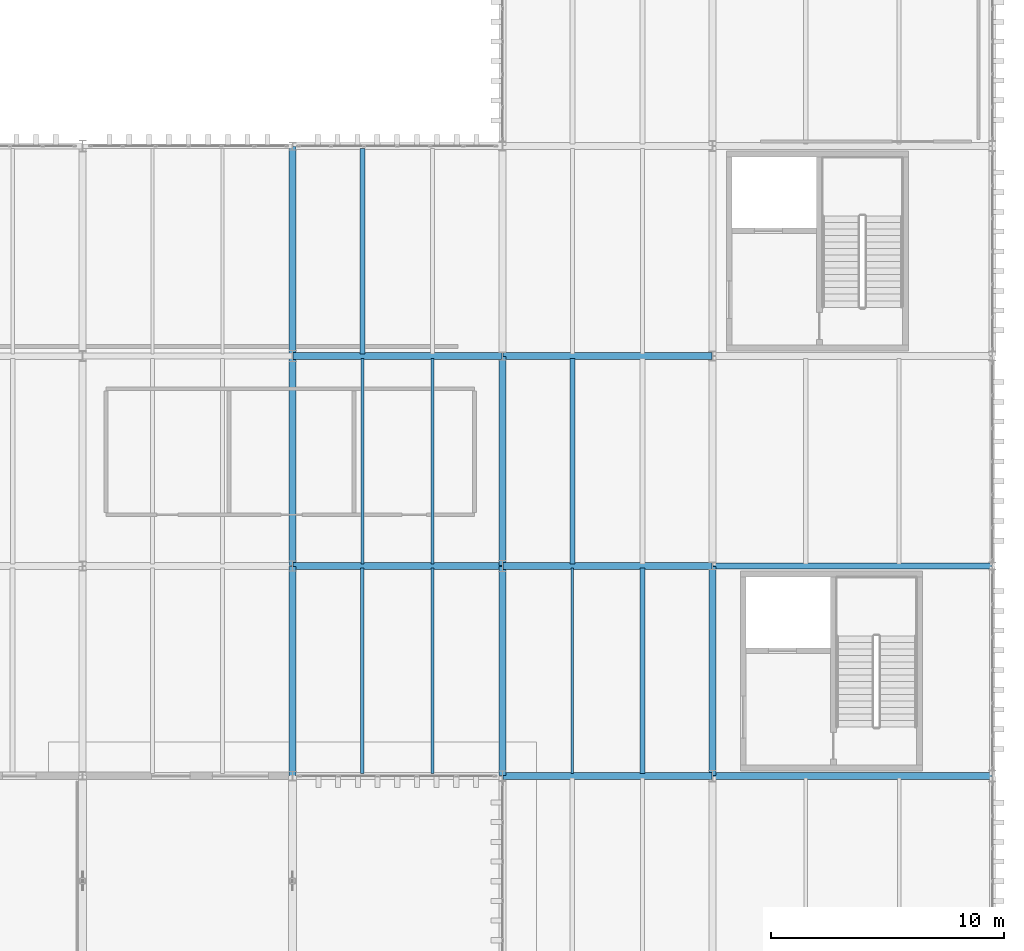
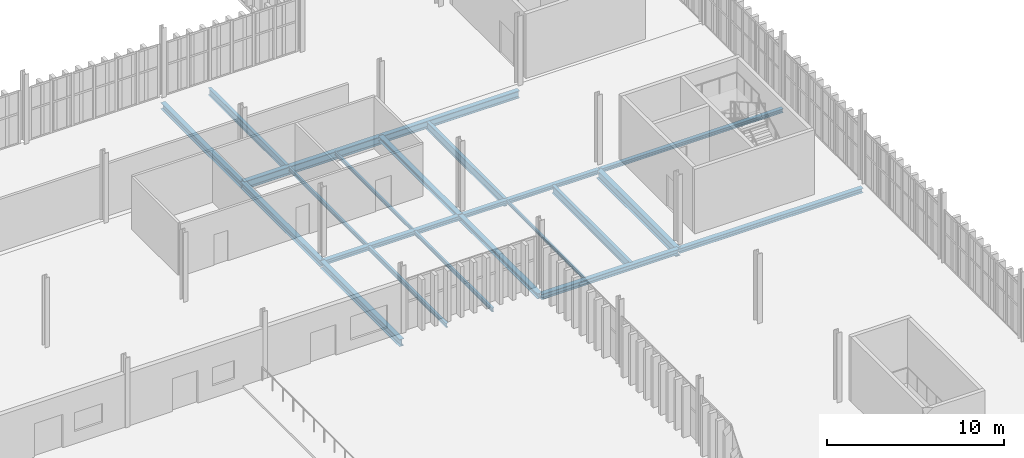
# One storey, part 120 of 196: 21 beams.
"""IFC4 building model written with IfcOpenShell, lengths in metres."""

from ifc_helpers import new_model, si_unit, direction, frame, origin, origin_2d, place, context, subcontext, project, spatial, i_section, extrude, material, material_profile, profile_set, type_object, element, save


model = new_model("IFC4")

# Units and contexts
model_context = context("Model", 3, precision=1e-05, world=origin(), true_north=direction((0.0, 1.0)))
body_context = subcontext(model_context, "Body", "Model", "MODEL_VIEW")
ifc_project = project(units=[si_unit("LENGTHUNIT", "METRE"), si_unit("AREAUNIT", "SQUARE_METRE"), si_unit("VOLUMEUNIT", "CUBIC_METRE"), si_unit("PLANEANGLEUNIT", "RADIAN"), si_unit("MASSUNIT", "GRAM", prefix="KILO")], contexts=[model_context])

# Site, building, storey
site_placement = place(None, origin())
site = spatial("IfcSite", under=ifc_project, at=site_placement, CompositionType="ELEMENT")
building_placement = place(site_placement, origin())
building = spatial("IfcBuilding", under=site, at=building_placement, Name="Barlavento Convention Centre", CompositionType="ELEMENT")
storey_placement = place(building_placement, frame((0.0, 0.0, 18.0)))
storey = spatial("IfcBuildingStorey", under=building, at=storey_placement, Name="L03", CompositionType="ELEMENT", Elevation=18.0)

# Beams
ifc_material = material(Name="Steel S355", Category="steel")
ifc_material_profile_1 = material_profile(ifc_material, i_section(OverallWidth=0.110107421875, OverallDepth=0.219970703125, WebThickness=0.005859375, FlangeThickness=0.00927734375, FilletRadius=0.011962890625, at=origin_2d()), Name="IPE 220")
ifc_profile_set_1 = profile_set([ifc_material_profile_1], Name="Steel S355")
beam_type_1 = type_object("IfcBeamType", Name="STR-BM-JST-IPE220", PredefinedType="JOIST", material=ifc_profile_set_1)
beam_1_placement = place(storey_placement, frame((174.0, 36.094970703125, -0.5), z_axis=(0.0, 1.0, 0.0), x_axis=(-1.0, 0.0, 0.0)))
element("IfcBeam", 1, at=beam_1_placement, inside=storey, type_object=beam_type_1, Name="L03 composite floor joist SJ10", PredefinedType="JOIST", context=body_context, shape_type="SweptSolid", body=[
    extrude(i_section(OverallWidth=0.110107421875, OverallDepth=0.219970703125, WebThickness=0.005859375, FlangeThickness=0.00927734375, FilletRadius=0.011962890625, at=origin_2d()), origin(), (0.0, 0.0, 1.0), 8.81005859375),
])
ifc_material_profile_2 = material_profile(ifc_material, i_section(OverallWidth=0.1201171875, OverallDepth=0.239990234375, WebThickness=0.006103515625, FlangeThickness=0.009765625, FilletRadius=0.014892578125, at=origin_2d()), Name="IPE 240")
ifc_profile_set_2 = profile_set([ifc_material_profile_2], Name="Steel S355")
beam_type_2 = type_object("IfcBeamType", Name="STR-BM-JST-IPE240", PredefinedType="JOIST", material=ifc_profile_set_2)
beam_2_placement = place(storey_placement, frame((168.0, 45.094970703125, -0.510009765625), z_axis=(0.0, 1.0, 0.0), x_axis=(-1.0, 0.0, 0.0)))
element("IfcBeam", 2, at=beam_2_placement, inside=storey, type_object=beam_type_2, Name="L03 composite floor joist SJ09", PredefinedType="JOIST", context=body_context, shape_type="SweptSolid", body=[
    extrude(i_section(OverallWidth=0.1201171875, OverallDepth=0.239990234375, WebThickness=0.006103515625, FlangeThickness=0.009765625, FilletRadius=0.014892578125, at=origin_2d()), origin(), (0.0, 0.0, 1.0), 8.81005859375),
])
ifc_material_profile_3 = material_profile(ifc_material, i_section(OverallWidth=0.135009765625, OverallDepth=0.27001953125, WebThickness=0.006591796875, FlangeThickness=0.01025390625, FilletRadius=0.014892578125, at=origin_2d()), Name="IPE 270")
ifc_profile_set_3 = profile_set([ifc_material_profile_3], Name="Steel S355")
beam_type_3 = type_object("IfcBeamType", Name="STR-BM-JST-IPE270", PredefinedType="JOIST", material=ifc_profile_set_3)
for number, where, z_axis, x_axis, name in (
    (3, (168.0, 36.094970703125, -0.52490234375), (0.0, 1.0, 0.0), (-1.0, 0.0, 0.0), "L03 composite floor joist SJ08"),
    (4, (165.0, 45.094970703125, -0.52490234375), (0.0, 1.0, 0.0), (-1.0, 0.0, 0.0), "L03 composite floor joist SJ08"),
):
    element("IfcBeam", number, at=place(storey_placement, frame(where, z_axis=z_axis, x_axis=x_axis)), inside=storey, type_object=beam_type_3, Name=name, PredefinedType="JOIST", context=body_context, shape_type="SweptSolid", body=[
        extrude(i_section(OverallWidth=0.135009765625, OverallDepth=0.27001953125, WebThickness=0.006591796875, FlangeThickness=0.01025390625, FilletRadius=0.014892578125, at=origin_2d()), origin(), (0.0, 0.0, 1.0), 8.81005859375),
    ])
ifc_material_profile_4 = material_profile(ifc_material, i_section(OverallWidth=0.14990234375, OverallDepth=0.300048828125, WebThickness=0.007080078125, FlangeThickness=0.0107421875, FilletRadius=0.014892578125, at=origin_2d()), Name="IPE 300")
ifc_profile_set_4 = profile_set([ifc_material_profile_4], Name="Steel S355")
beam_type_4 = type_object("IfcBeamType", Name="STR-BM-JST-IPE300", PredefinedType="JOIST", material=ifc_profile_set_4)
beam_3_placement = place(storey_placement, frame((165.0, 36.094970703125, -0.5400390625), z_axis=(0.0, 1.0, 0.0), x_axis=(-1.0, 0.0, 0.0)))
element("IfcBeam", 5, at=beam_3_placement, inside=storey, type_object=beam_type_4, Name="L03 composite floor joist SJ07", PredefinedType="JOIST", context=body_context, shape_type="SweptSolid", body=[
    extrude(i_section(OverallWidth=0.14990234375, OverallDepth=0.300048828125, WebThickness=0.007080078125, FlangeThickness=0.0107421875, FilletRadius=0.014892578125, at=origin_2d()), origin(), (0.0, 0.0, 1.0), 8.81005859375),
])
ifc_material_profile_5 = material_profile(ifc_material, i_section(OverallWidth=0.199951171875, OverallDepth=0.5, WebThickness=0.01025390625, FlangeThickness=0.01611328125, FilletRadius=0.02099609375, at=origin_2d()), Name="IPE 500")
ifc_profile_set_5 = profile_set([ifc_material_profile_5], Name="Steel S355")
beam_type_5 = type_object("IfcBeamType", Name="STR-BM-JST-IPE500", PredefinedType="JOIST", material=ifc_profile_set_5)
beam_4_placement = place(storey_placement, frame((165.0, 54.094970703125, -0.639892578125), z_axis=(0.0, 1.0, 0.0), x_axis=(-1.0, 0.0, 0.0)))
element("IfcBeam", 6, at=beam_4_placement, inside=storey, type_object=beam_type_5, Name="L03 composite floor joist SJ02", PredefinedType="JOIST", context=body_context, shape_type="SweptSolid", body=[
    extrude(i_section(OverallWidth=0.199951171875, OverallDepth=0.5, WebThickness=0.01025390625, FlangeThickness=0.01611328125, FilletRadius=0.02099609375, at=origin_2d()), origin(), (0.0, 0.0, 1.0), 8.81005859375),
])
ifc_material_profile_6 = material_profile(ifc_material, i_section(OverallWidth=0.2099609375, OverallDepth=0.550048828125, WebThickness=0.010986328125, FlangeThickness=0.01708984375, FilletRadius=0.02392578125, at=origin_2d()), Name="IPE 550")
ifc_profile_set_6 = profile_set([ifc_material_profile_6], Name="Steel S355")
beam_type_6 = type_object("IfcBeamType", Name="STR-BM-JST-IPE550", PredefinedType="JOIST", material=ifc_profile_set_6)
for number, where, z_axis, x_axis, name in (
    (7, (177.0, 36.094970703125, -0.6650390625), (0.0, 1.0, 0.0), (-1.0, 0.0, 0.0), "L03 composite floor joist SJ01"),
    (8, (174.0, 45.094970703125, -0.6650390625), (0.0, 1.0, 0.0), (-1.0, 0.0, 0.0), "L03 composite floor joist SJ01"),
):
    element("IfcBeam", number, at=place(storey_placement, frame(where, z_axis=z_axis, x_axis=x_axis)), inside=storey, type_object=beam_type_6, Name=name, PredefinedType="JOIST", context=body_context, shape_type="SweptSolid", body=[
        extrude(i_section(OverallWidth=0.2099609375, OverallDepth=0.550048828125, WebThickness=0.010986328125, FlangeThickness=0.01708984375, FilletRadius=0.02392578125, at=origin_2d()), origin(), (0.0, 0.0, 1.0), 8.81005859375),
    ])
ifc_material_profile_7 = material_profile(ifc_material, i_section(OverallWidth=0.300048828125, OverallDepth=0.330078125, WebThickness=0.009521484375, FlangeThickness=0.0166015625, FilletRadius=0.027099609375, at=origin_2d()), Name="HEA 340")
ifc_profile_set_7 = profile_set([ifc_material_profile_7], Name="Steel S355")
beam_type_7 = type_object("IfcBeamType", Name="STR-BM-PRI-HEA340", PredefinedType="BEAM", material=ifc_profile_set_7)
beam_5_placement = place(storey_placement, frame((171.0, 45.02001953125, -0.554931640625), z_axis=(0.0, 1.0, 0.0), x_axis=(-1.0, 0.0, 0.0)))
element("IfcBeam", 9, at=beam_5_placement, inside=storey, type_object=beam_type_7, Name="L03 grid girder BG24", PredefinedType="BEAM", context=body_context, shape_type="SweptSolid", body=[
    extrude(i_section(OverallWidth=0.300048828125, OverallDepth=0.330078125, WebThickness=0.009521484375, FlangeThickness=0.0166015625, FilletRadius=0.027099609375, at=origin_2d()), origin(), (0.0, 0.0, 1.0), 8.9599609375),
])
ifc_material_profile_8 = material_profile(ifc_material, i_section(OverallWidth=0.300048828125, OverallDepth=0.35009765625, WebThickness=0.010009765625, FlangeThickness=0.017578125, FilletRadius=0.027099609375, at=origin_2d()), Name="HEA 360")
ifc_profile_set_8 = profile_set([ifc_material_profile_8], Name="Steel S355")
beam_type_8 = type_object("IfcBeamType", Name="STR-BM-PRI-HEA360", PredefinedType="BEAM", material=ifc_profile_set_8)
beam_6_placement = place(storey_placement, frame((171.0, 36.02001953125, -0.56494140625), z_axis=(0.0, 1.0, 0.0), x_axis=(-1.0, 0.0, 0.0)))
element("IfcBeam", 10, at=beam_6_placement, inside=storey, type_object=beam_type_8, Name="L03 grid girder BG23", PredefinedType="BEAM", context=body_context, shape_type="SweptSolid", body=[
    extrude(i_section(OverallWidth=0.300048828125, OverallDepth=0.35009765625, WebThickness=0.010009765625, FlangeThickness=0.017578125, FilletRadius=0.027099609375, at=origin_2d()), origin(), (0.0, 0.0, 1.0), 8.9599609375),
])
ifc_material_profile_9 = material_profile(ifc_material, i_section(OverallWidth=0.300048828125, OverallDepth=0.43994140625, WebThickness=0.011474609375, FlangeThickness=0.02099609375, FilletRadius=0.027099609375, at=origin_2d()), Name="HEA 450")
ifc_profile_set_9 = profile_set([ifc_material_profile_9], Name="Steel S355")
beam_type_9 = type_object("IfcBeamType", Name="STR-BM-PRI-HEA450", PredefinedType="BEAM", material=ifc_profile_set_9)
for number, where, z_axis, x_axis, name in (
    (11, (162.0, 45.02001953125, -0.610107421875), (0.0, 1.0, 0.0), (-1.0, 0.0, 0.0), "L03 grid girder BG21"),
    (12, (162.0, 54.02001953125, -0.610107421875), (0.0, 1.0, 0.0), (-1.0, 0.0, 0.0), "L03 grid girder BG21"),
):
    element("IfcBeam", number, at=place(storey_placement, frame(where, z_axis=z_axis, x_axis=x_axis)), inside=storey, type_object=beam_type_9, Name=name, PredefinedType="BEAM", context=body_context, shape_type="SweptSolid", body=[
        extrude(i_section(OverallWidth=0.300048828125, OverallDepth=0.43994140625, WebThickness=0.011474609375, FlangeThickness=0.02099609375, FilletRadius=0.027099609375, at=origin_2d()), origin(), (0.0, 0.0, 1.0), 8.9599609375),
    ])
ifc_material_profile_10 = material_profile(ifc_material, i_section(OverallWidth=0.300048828125, OverallDepth=0.489990234375, WebThickness=0.011962890625, FlangeThickness=0.02294921875, FilletRadius=0.027099609375, at=origin_2d()), Name="HEA 500")
ifc_profile_set_10 = profile_set([ifc_material_profile_10], Name="Steel S355")
beam_type_10 = type_object("IfcBeamType", Name="STR-BM-PRI-HEA500", PredefinedType="BEAM", material=ifc_profile_set_10)
beam_7_placement = place(storey_placement, frame((162.0, 36.02001953125, -0.635009765625), z_axis=(0.0, 1.0, 0.0), x_axis=(-1.0, 0.0, 0.0)))
element("IfcBeam", 13, at=beam_7_placement, inside=storey, type_object=beam_type_10, Name="L03 grid girder BG20", PredefinedType="BEAM", context=body_context, shape_type="SweptSolid", body=[
    extrude(i_section(OverallWidth=0.300048828125, OverallDepth=0.489990234375, WebThickness=0.011962890625, FlangeThickness=0.02294921875, FilletRadius=0.027099609375, at=origin_2d()), origin(), (0.0, 0.0, 1.0), 8.9599609375),
])
ifc_material_profile_11 = material_profile(ifc_material, i_section(OverallWidth=0.300048828125, OverallDepth=0.590087890625, WebThickness=0.012939453125, FlangeThickness=0.02490234375, FilletRadius=0.027099609375, at=origin_2d()), Name="HEA 600")
ifc_profile_set_11 = profile_set([ifc_material_profile_11], Name="Steel S355")
beam_type_11 = type_object("IfcBeamType", Name="STR-BM-PRI-HEA600", PredefinedType="BEAM", material=ifc_profile_set_11)
beam_8_placement = place(storey_placement, frame((180.0, 36.02001953125, -0.68505859375), z_axis=(0.0, 1.0, 0.0), x_axis=(-1.0, 0.0, 0.0)))
element("IfcBeam", 14, at=beam_8_placement, inside=storey, type_object=beam_type_11, Name="L03 grid girder BG18", PredefinedType="BEAM", context=body_context, shape_type="SweptSolid", body=[
    extrude(i_section(OverallWidth=0.300048828125, OverallDepth=0.590087890625, WebThickness=0.012939453125, FlangeThickness=0.02490234375, FilletRadius=0.027099609375, at=origin_2d()), origin(), (0.0, 0.0, 1.0), 8.9599609375),
])
ifc_material_profile_12 = material_profile(ifc_material, i_section(OverallWidth=0.260009765625, OverallDepth=0.260009765625, WebThickness=0.010009765625, FlangeThickness=0.017578125, FilletRadius=0.02392578125, at=origin_2d()), Name="HEB 260")
ifc_profile_set_12 = profile_set([ifc_material_profile_12], Name="Steel S355")
beam_type_12 = type_object("IfcBeamType", Name="STR-BM-PRI-HEB260", PredefinedType="BEAM", material=ifc_profile_set_12)
beam_9_placement = place(storey_placement, frame((180.02001953125, 45.0, -0.52001953125), z_axis=(1.0, 0.0, 0.0), x_axis=(0.0, 1.0, 0.0)))
element("IfcBeam", 15, at=beam_9_placement, inside=storey, type_object=beam_type_12, Name="L03 primary girder BG16", PredefinedType="BEAM", context=body_context, shape_type="SweptSolid", body=[
    extrude(i_section(OverallWidth=0.260009765625, OverallDepth=0.260009765625, WebThickness=0.010009765625, FlangeThickness=0.017578125, FilletRadius=0.02392578125, at=origin_2d()), origin(), (0.0, 0.0, 1.0), 11.9599609375),
])
ifc_material_profile_13 = material_profile(ifc_material, i_section(OverallWidth=0.280029296875, OverallDepth=0.280029296875, WebThickness=0.010498046875, FlangeThickness=0.01806640625, FilletRadius=0.02392578125, at=origin_2d()), Name="HEB 280")
ifc_profile_set_13 = profile_set([ifc_material_profile_13], Name="Steel S355")
beam_type_13 = type_object("IfcBeamType", Name="STR-BM-PRI-HEB280", PredefinedType="BEAM", material=ifc_profile_set_13)
beam_10_placement = place(storey_placement, frame((171.02001953125, 45.0, -0.530029296875), z_axis=(1.0, 0.0, 0.0), x_axis=(0.0, 1.0, 0.0)))
element("IfcBeam", 16, at=beam_10_placement, inside=storey, type_object=beam_type_13, Name="L03 primary girder BG15", PredefinedType="BEAM", context=body_context, shape_type="SweptSolid", body=[
    extrude(i_section(OverallWidth=0.280029296875, OverallDepth=0.280029296875, WebThickness=0.010498046875, FlangeThickness=0.01806640625, FilletRadius=0.02392578125, at=origin_2d()), origin(), (0.0, 0.0, 1.0), 8.9599609375),
])
ifc_material_profile_14 = material_profile(ifc_material, i_section(OverallWidth=0.300048828125, OverallDepth=0.300048828125, WebThickness=0.010986328125, FlangeThickness=0.01904296875, FilletRadius=0.027099609375, at=origin_2d()), Name="HEB 300")
ifc_profile_set_14 = profile_set([ifc_material_profile_14], Name="Steel S355")
beam_type_14 = type_object("IfcBeamType", Name="STR-BM-PRI-HEB300", PredefinedType="BEAM", material=ifc_profile_set_14)
beam_11_placement = place(storey_placement, frame((162.02001953125, 45.0, -0.5400390625), z_axis=(1.0, 0.0, 0.0), x_axis=(0.0, 1.0, 0.0)))
element("IfcBeam", 17, at=beam_11_placement, inside=storey, type_object=beam_type_14, Name="L03 primary girder BG14", PredefinedType="BEAM", context=body_context, shape_type="SweptSolid", body=[
    extrude(i_section(OverallWidth=0.300048828125, OverallDepth=0.300048828125, WebThickness=0.010986328125, FlangeThickness=0.01904296875, FilletRadius=0.027099609375, at=origin_2d()), origin(), (0.0, 0.0, 1.0), 8.9599609375),
])
ifc_material_profile_15 = material_profile(ifc_material, i_section(OverallWidth=0.300048828125, OverallDepth=0.320068359375, WebThickness=0.011474609375, FlangeThickness=0.0205078125, FilletRadius=0.027099609375, at=origin_2d()), Name="HEB 320")
ifc_profile_set_15 = profile_set([ifc_material_profile_15], Name="Steel S355")
beam_type_15 = type_object("IfcBeamType", Name="STR-BM-PRI-HEB320", PredefinedType="BEAM", material=ifc_profile_set_15)
beam_12_placement = place(storey_placement, frame((180.02001953125, 36.0, -0.550048828125), z_axis=(1.0, 0.0, 0.0), x_axis=(0.0, 1.0, 0.0)))
element("IfcBeam", 18, at=beam_12_placement, inside=storey, type_object=beam_type_15, Name="L03 primary girder BG13", PredefinedType="BEAM", context=body_context, shape_type="SweptSolid", body=[
    extrude(i_section(OverallWidth=0.300048828125, OverallDepth=0.320068359375, WebThickness=0.011474609375, FlangeThickness=0.0205078125, FilletRadius=0.027099609375, at=origin_2d()), origin(), (0.0, 0.0, 1.0), 11.9599609375),
])
ifc_material_profile_16 = material_profile(ifc_material, i_section(OverallWidth=0.300048828125, OverallDepth=0.360107421875, WebThickness=0.012451171875, FlangeThickness=0.0224609375, FilletRadius=0.027099609375, at=origin_2d()), Name="HEB 360")
ifc_profile_set_16 = profile_set([ifc_material_profile_16], Name="Steel S355")
beam_type_16 = type_object("IfcBeamType", Name="STR-BM-PRI-HEB360", PredefinedType="BEAM", material=ifc_profile_set_16)
beam_13_placement = place(storey_placement, frame((171.02001953125, 36.0, -0.570068359375), z_axis=(1.0, 0.0, 0.0), x_axis=(0.0, 1.0, 0.0)))
element("IfcBeam", 19, at=beam_13_placement, inside=storey, type_object=beam_type_16, Name="L03 primary girder BG12", PredefinedType="BEAM", context=body_context, shape_type="SweptSolid", body=[
    extrude(i_section(OverallWidth=0.300048828125, OverallDepth=0.360107421875, WebThickness=0.012451171875, FlangeThickness=0.0224609375, FilletRadius=0.027099609375, at=origin_2d()), origin(), (0.0, 0.0, 1.0), 8.9599609375),
])
ifc_material_profile_17 = material_profile(ifc_material, i_section(OverallWidth=0.300048828125, OverallDepth=0.5, WebThickness=0.014404296875, FlangeThickness=0.028076171875, FilletRadius=0.027099609375, at=origin_2d()), Name="HEB 500")
ifc_profile_set_17 = profile_set([ifc_material_profile_17], Name="Steel S355")
beam_type_17 = type_object("IfcBeamType", Name="STR-BM-PRI-HEB500", PredefinedType="BEAM", material=ifc_profile_set_17)
beam_14_placement = place(storey_placement, frame((171.02001953125, 54.0, -0.639892578125), z_axis=(1.0, 0.0, 0.0), x_axis=(0.0, 1.0, 0.0)))
element("IfcBeam", 20, at=beam_14_placement, inside=storey, type_object=beam_type_17, Name="L03 primary girder BG09", PredefinedType="BEAM", context=body_context, shape_type="SweptSolid", body=[
    extrude(i_section(OverallWidth=0.300048828125, OverallDepth=0.5, WebThickness=0.014404296875, FlangeThickness=0.028076171875, FilletRadius=0.027099609375, at=origin_2d()), origin(), (0.0, 0.0, 1.0), 8.9599609375),
])
ifc_material_profile_18 = material_profile(ifc_material, i_section(OverallWidth=0.300048828125, OverallDepth=0.550048828125, WebThickness=0.014892578125, FlangeThickness=0.029052734375, FilletRadius=0.027099609375, at=origin_2d()), Name="HEB 550")
ifc_profile_set_18 = profile_set([ifc_material_profile_18], Name="Steel S355")
beam_type_18 = type_object("IfcBeamType", Name="STR-BM-PRI-HEB550", PredefinedType="BEAM", material=ifc_profile_set_18)
beam_15_placement = place(storey_placement, frame((162.02001953125, 54.0, -0.6650390625), z_axis=(1.0, 0.0, 0.0), x_axis=(0.0, 1.0, 0.0)))
element("IfcBeam", 21, at=beam_15_placement, inside=storey, type_object=beam_type_18, Name="L03 primary girder BG08", PredefinedType="BEAM", context=body_context, shape_type="SweptSolid", body=[
    extrude(i_section(OverallWidth=0.300048828125, OverallDepth=0.550048828125, WebThickness=0.014892578125, FlangeThickness=0.029052734375, FilletRadius=0.027099609375, at=origin_2d()), origin(), (0.0, 0.0, 1.0), 8.9599609375),
])

save(model, "model.ifc")
